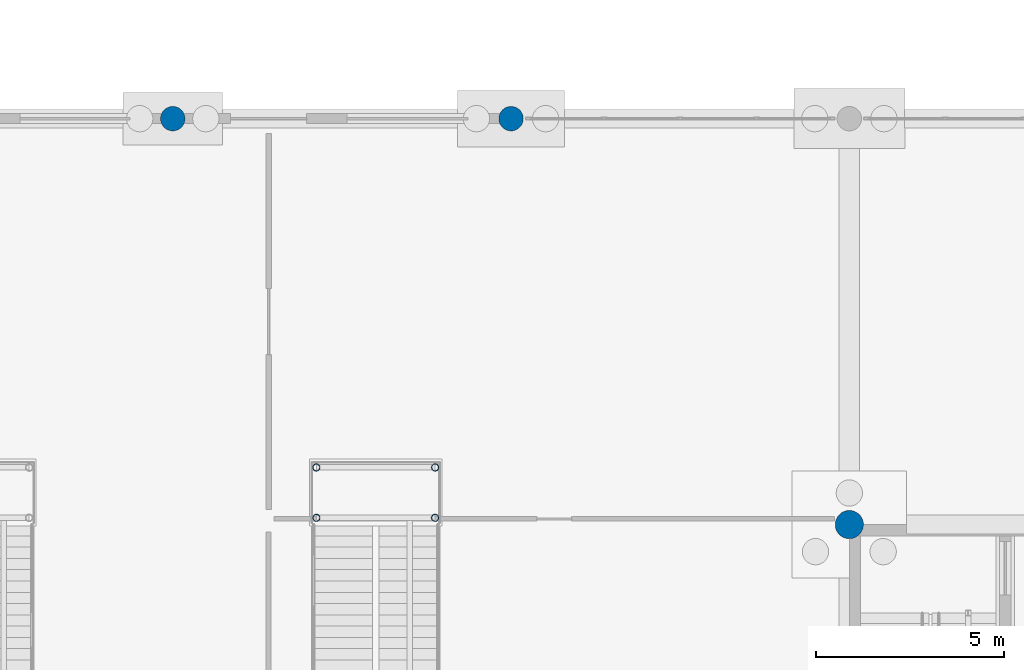
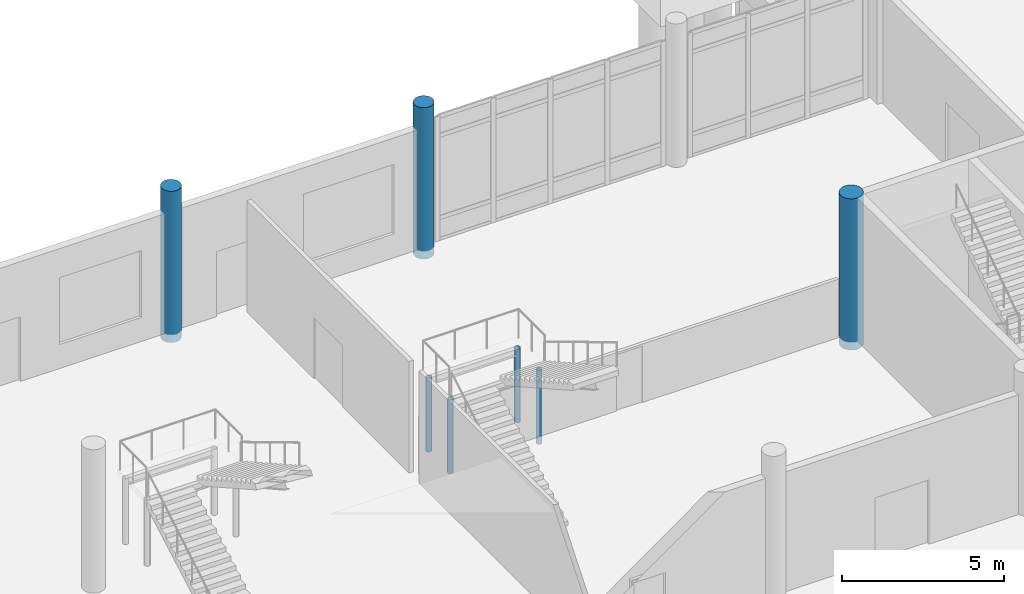
# One storey, part 21 of 109: 7 columns.
"""IFC4 building model written with IfcOpenShell, lengths in metres."""

from ifc_helpers import new_model, si_unit, direction, frame, origin, origin_2d, place, context, subcontext, project, spatial, circle, hollow_circle, extrude, material, material_profile, profile_set, type_object, element, save


model = new_model("IFC4")

# Units and contexts
model_context = context("Model", 3, precision=1e-05, world=origin(), true_north=direction((0.0, 1.0)))
body_context = subcontext(model_context, "Body", "Model", "MODEL_VIEW")
ifc_project = project(units=[si_unit("LENGTHUNIT", "METRE"), si_unit("AREAUNIT", "SQUARE_METRE"), si_unit("VOLUMEUNIT", "CUBIC_METRE"), si_unit("PLANEANGLEUNIT", "RADIAN"), si_unit("MASSUNIT", "GRAM", prefix="KILO")], contexts=[model_context])

# Site, building, storey
site_placement = place(None, origin())
site = spatial("IfcSite", under=ifc_project, at=site_placement, CompositionType="ELEMENT")
building_placement = place(site_placement, origin())
building = spatial("IfcBuilding", under=site, at=building_placement, Name="Lusvemor Sports Hall", CompositionType="ELEMENT")
storey_placement = place(building_placement, origin())
storey = spatial("IfcBuildingStorey", under=building, at=storey_placement, Name="L00", CompositionType="ELEMENT", Elevation=0.0)

# Columns
ifc_material_1 = material(Name="Concrete C40/50", Category="concrete")
ifc_material_profile_1 = material_profile(ifc_material_1, circle(Radius=0.324951171875, at=origin_2d()), Name="RCCIRC650")
ifc_profile_set_1 = profile_set([ifc_material_profile_1], Name="Concrete C40/50")
column_type_1 = type_object("IfcColumnType", Name="COL_COLONNADE", PredefinedType="COLUMN", material=ifc_profile_set_1)
for number, where, z_axis, x_axis, name in (
    (1, (93.60009765625, 28.800048828125, -0.300048828125), (0.0, 0.0, 1.0), (1.0, 0.0, 0.0), "Column 10/D (L00)"),
    (2, (102.60009765625, 28.800048828125, -0.300048828125), (0.0, 0.0, 1.0), (1.0, 0.0, 0.0), "Column 11/D (L00)"),
):
    element("IfcColumn", number, at=place(storey_placement, frame(where, z_axis=z_axis, x_axis=x_axis)), inside=storey, type_object=column_type_1, Name=name, PredefinedType="COLUMN", context=body_context, shape_type="SweptSolid", body=[
        extrude(circle(Radius=0.324951171875, at=origin_2d()), origin(), (0.0, 0.0, 1.0), 5.699951171875),
    ])
ifc_material_2 = material(Name="Concrete C40/50", Category="concrete")
ifc_material_profile_2 = material_profile(ifc_material_2, circle(Radius=0.375, at=origin_2d()), Name="RCCIRC750")
ifc_profile_set_2 = profile_set([ifc_material_profile_2], Name="Concrete C40/50")
column_type_2 = type_object("IfcColumnType", Name="COL_FOYER_R", PredefinedType="COLUMN", material=ifc_profile_set_2)
column_placement = place(storey_placement, frame((111.60009765625, 18.0, -0.300048828125), z_axis=(0.0, 0.0, 1.0), x_axis=(1.0, 0.0, 0.0)))
element("IfcColumn", 3, at=column_placement, inside=storey, type_object=column_type_2, Name="Column 12/C (L00)", PredefinedType="COLUMN", context=body_context, shape_type="SweptSolid", body=[
    extrude(circle(Radius=0.375, at=origin_2d()), origin(), (0.0, 0.0, 1.0), 5.699951171875),
])
ifc_material_3 = material(Name="Steel S355", Category="steel")
ifc_material_profile_3 = material_profile(ifc_material_3, hollow_circle(Radius=0.096923828125, WallThickness=0.010009765625, at=origin_2d()), Name="CHS193.7x10.0")
ifc_profile_set_3 = profile_set([ifc_material_profile_3], Name="Steel S355")
column_type_3 = type_object("IfcColumnType", Name="COL_STAIR_POST", PredefinedType="COLUMN", material=ifc_profile_set_3)
for number, where, z_axis, x_axis, name in (
    (4, (97.419921875, 18.179931640625, -0.300048828125), (0.0, 0.0, 1.0), (1.0, 0.0, 0.0), "Feature Stair STR-FOY-E Post 1"),
    (5, (100.580078125, 18.179931640625, -0.300048828125), (0.0, 0.0, 1.0), (1.0, 0.0, 0.0), "Feature Stair STR-FOY-E Post 2"),
    (6, (97.419921875, 19.52001953125, -0.300048828125), (0.0, 0.0, 1.0), (1.0, 0.0, 0.0), "Feature Stair STR-FOY-E Post 3"),
    (7, (100.580078125, 19.52001953125, -0.300048828125), (0.0, 0.0, 1.0), (1.0, 0.0, 0.0), "Feature Stair STR-FOY-E Post 4"),
):
    element("IfcColumn", number, at=place(storey_placement, frame(where, z_axis=z_axis, x_axis=x_axis)), inside=storey, type_object=column_type_3, Name=name, PredefinedType="COLUMN", context=body_context, shape_type="SweptSolid", body=[
        extrude(hollow_circle(Radius=0.096923828125, WallThickness=0.010009765625, at=origin_2d()), origin(), (0.0, 0.0, 1.0), 2.781982421875),
    ])

save(model, "model.ifc")
